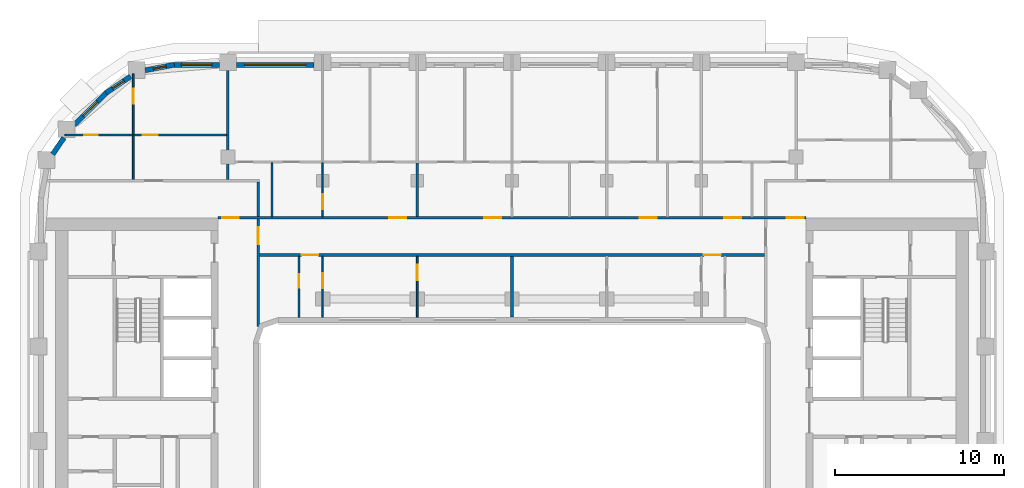
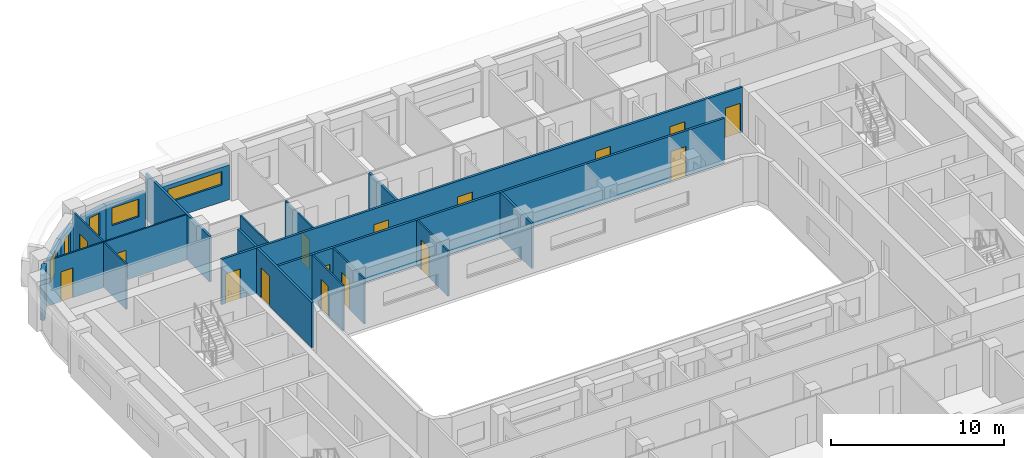
# One storey, part 7 of 22: 21 walls, 16 doors, 5 windows, 21 openings.
"""IFC4 building model written with IfcOpenShell, lengths in metres."""

from ifc_helpers import new_model, si_unit, direction, frame, frame_2d, origin, place, context, subcontext, project, spatial, rectangle, extrude, material, layer, layer_set, type_object, element, fill, save


model = new_model("IFC4")

# Units and contexts
model_context = context("Model", 3, precision=1e-05, world=origin(), true_north=direction((0.0, 1.0)))
body_context = subcontext(model_context, "Body", "Model", "MODEL_VIEW")
ifc_project = project(units=[si_unit("LENGTHUNIT", "METRE"), si_unit("AREAUNIT", "SQUARE_METRE"), si_unit("VOLUMEUNIT", "CUBIC_METRE"), si_unit("PLANEANGLEUNIT", "RADIAN"), si_unit("MASSUNIT", "GRAM", prefix="KILO")], contexts=[model_context])

# Site, building, storey
site_placement = place(None, origin())
site = spatial("IfcSite", under=ifc_project, at=site_placement, CompositionType="ELEMENT")
building_placement = place(site_placement, origin())
building = spatial("IfcBuilding", under=site, at=building_placement, Name="Kiln Ring Residences", CompositionType="ELEMENT")
storey_placement = place(building_placement, frame((0.0, 0.0, 167.60009765625)))
storey = spatial("IfcBuildingStorey", under=building, at=storey_placement, Name="L43", CompositionType="ELEMENT", Elevation=167.60009765625)

# Wall, opening, window
ifc_material_1 = material(Name="Brick masonry, dark clay brick", Category="masonry")
ifc_layer_1 = layer(ifc_material_1, 0.300048828125)
ifc_layer_set_1 = layer_set([ifc_layer_1], Name="EW-300 BRICK WALL")
wall_type_1 = type_object("IfcWallType", Name="EW-300 BRICK WALL", PredefinedType="SOLIDWALL", material=ifc_layer_set_1)
wall_1_placement = place(storey_placement, frame((-11.699951171875, 22.25, 0.0), z_axis=(0.0, 0.0, 1.0), x_axis=(-1.0, 0.0, 0.0)))
wall_1 = element("IfcWall", 1, at=wall_1_placement, inside=storey, type_object=wall_type_1, Name="Facade wall L43 34", PredefinedType="SOLIDWALL", context=body_context, shape_type="SweptSolid", body=[
    extrude(rectangle(XDim=4.60009765625, YDim=0.300048828125, at=frame_2d((2.300048828125, 0.0))), origin(), (0.0, 0.0, 1.0), 2.449951171875),
])
opening_1_placement = place(wall_1_placement, frame((0.5, 0.0, 1.199951171875)))
opening_1 = element("IfcOpeningElement", 2, at=opening_1_placement, cuts=wall_1, Name="Opening W4", PredefinedType="OPENING", context=body_context, shape_type="SweptSolid", body=[
    extrude(rectangle(XDim=3.60009765625, YDim=0.949951171875, at=frame_2d((1.800048828125, 0.47509765625))), frame((0.0, 0.159912109375, 0.0), z_axis=(0.0, -1.0, 0.0), x_axis=(1.0, 0.0, 0.0)), (0.0, 0.0, 1.0), 0.320068359375),
])
ifc_material_2 = material(Name="Aluminium frame with double glazing", Category="aluminium")
window_type_1 = type_object("IfcWindowType", Name="WINDOW 3600 x 950", PartitioningType="SINGLE_PANEL", PredefinedType="WINDOW", material=ifc_material_2)
window_1_placement = place(opening_1_placement, origin())
window_1 = element("IfcWindow", 3, at=window_1_placement, inside=storey, type_object=window_type_1, Name="Window L43 25", OverallHeight=0.949951171875, OverallWidth=3.60009765625, PartitioningType="SINGLE_PANEL", PredefinedType="WINDOW", context=body_context, shape_type="SweptSolid", body=[
    extrude(rectangle(XDim=3.60009765625, YDim=0.949951171875, at=frame_2d((1.800048828125, 0.47509765625))), frame((0.0, 0.030029296875, 0.0), z_axis=(0.0, -1.0, 0.0), x_axis=(1.0, 0.0, 0.0)), (0.0, 0.0, 1.0), 0.06005859375),
])
fill(opening_1, window_1)

wall_2_placement = place(storey_placement, frame((-17.300048828125, 22.25, 0.0), z_axis=(0.0, 0.0, 1.0), x_axis=(-1.0, 0.0, 0.0)))
wall_2 = element("IfcWall", 4, at=wall_2_placement, inside=storey, type_object=wall_type_1, Name="Facade wall L43 35", PredefinedType="SOLIDWALL", context=body_context, shape_type="SweptSolid", body=[
    extrude(rectangle(XDim=2.699951171875, YDim=0.300048828125, at=frame_2d((1.35009765625, 0.0))), origin(), (0.0, 0.0, 1.0), 2.449951171875),
])
opening_2_placement = place(wall_2_placement, frame((0.449951171875, 0.0, 0.89990234375)))
opening_2 = element("IfcOpeningElement", 5, at=opening_2_placement, cuts=wall_2, Name="Opening W2", PredefinedType="OPENING", context=body_context, shape_type="SweptSolid", body=[
    extrude(rectangle(XDim=1.800048828125, YDim=1.25, at=frame_2d((0.89990234375, 0.625))), frame((0.0, 0.159912109375, 0.0), z_axis=(0.0, -1.0, 0.0), x_axis=(1.0, 0.0, 0.0)), (0.0, 0.0, 1.0), 0.320068359375),
])
ifc_material_3 = material(Name="Aluminium frame with double glazing", Category="aluminium")
window_type_2 = type_object("IfcWindowType", Name="WINDOW 1800 x 1250", PartitioningType="SINGLE_PANEL", PredefinedType="WINDOW", material=ifc_material_3)
window_2_placement = place(opening_2_placement, origin())
window_2 = element("IfcWindow", 6, at=window_2_placement, inside=storey, type_object=window_type_2, Name="Window L43 26", OverallHeight=1.25, OverallWidth=1.800048828125, PartitioningType="SINGLE_PANEL", PredefinedType="WINDOW", context=body_context, shape_type="SweptSolid", body=[
    extrude(rectangle(XDim=1.800048828125, YDim=1.25, at=frame_2d((0.89990234375, 0.625))), frame((0.0, 0.030029296875, 0.0), z_axis=(0.0, -1.0, 0.0), x_axis=(1.0, 0.0, 0.0)), (0.0, 0.0, 1.0), 0.06005859375),
])
fill(opening_2, window_2)

wall_3_placement = place(storey_placement, frame((-19.971923828125, 22.252685546875, 0.0), z_axis=(0.0, 0.0, 1.0), x_axis=(-0.982284988433, -0.187393173565, 0.0)))
wall_3 = element("IfcWall", 7, at=wall_3_placement, inside=storey, type_object=wall_type_1, Name="Facade wall L43 36", PredefinedType="SOLIDWALL", context=body_context, shape_type="SweptSolid", body=[
    extrude(rectangle(XDim=1.756103515625, YDim=0.300048828125, at=frame_2d((0.8779296875, 0.0))), origin(), (0.0, 0.0, 1.0), 2.449951171875),
])
opening_3_placement = place(wall_3_placement, frame((0.47802734375, 0.0, 0.60009765625)))
opening_3 = element("IfcOpeningElement", 8, at=opening_3_placement, cuts=wall_3, Name="Opening W5", PredefinedType="OPENING", context=body_context, shape_type="SweptSolid", body=[
    extrude(rectangle(XDim=0.800048828125, YDim=1.550048828125, at=frame_2d((0.39990234375, 0.77490234375))), frame((0.0, 0.159912109375, 0.0), z_axis=(0.0, -1.0, 0.0), x_axis=(1.0, 0.0, 0.0)), (0.0, 0.0, 1.0), 0.320068359375),
])
ifc_material_4 = material(Name="Aluminium frame with double glazing", Category="aluminium")
window_type_3 = type_object("IfcWindowType", Name="WINDOW 800 x 1550", PartitioningType="SINGLE_PANEL", PredefinedType="WINDOW", material=ifc_material_4)
window_3_placement = place(opening_3_placement, origin())
window_3 = element("IfcWindow", 9, at=window_3_placement, inside=storey, type_object=window_type_3, Name="Window L43 27", OverallHeight=1.550048828125, OverallWidth=0.800048828125, PartitioningType="SINGLE_PANEL", PredefinedType="WINDOW", context=body_context, shape_type="SweptSolid", body=[
    extrude(rectangle(XDim=0.800048828125, YDim=1.550048828125, at=frame_2d((0.39990234375, 0.77490234375))), frame((0.0, 0.030029296875, 0.0), z_axis=(0.0, -1.0, 0.0), x_axis=(1.0, 0.0, 0.0)), (0.0, 0.0, 1.0), 0.06005859375),
])
fill(opening_3, window_3)

wall_4_placement = place(storey_placement, frame((-22.560302734375, 21.56591796875, 0.0), z_axis=(0.0, 0.0, 1.0), x_axis=(-0.82707645233, -0.562089443061, 0.0)))
wall_4 = element("IfcWall", 10, at=wall_4_placement, inside=storey, type_object=wall_type_1, Name="Facade wall L43 37", PredefinedType="SOLIDWALL", context=body_context, shape_type="SweptSolid", body=[
    extrude(rectangle(XDim=1.756103515625, YDim=0.300048828125, at=frame_2d((0.8779296875, 0.0))), origin(), (0.0, 0.0, 1.0), 2.449951171875),
])
opening_4_placement = place(wall_4_placement, frame((0.47802734375, 0.0, 0.60009765625)))
opening_4 = element("IfcOpeningElement", 11, at=opening_4_placement, cuts=wall_4, Name="Opening W5", PredefinedType="OPENING", context=body_context, shape_type="SweptSolid", body=[
    extrude(rectangle(XDim=0.800048828125, YDim=1.550048828125, at=frame_2d((0.39990234375, 0.77490234375))), frame((0.0, 0.159912109375, 0.0), z_axis=(0.0, -1.0, 0.0), x_axis=(1.0, 0.0, 0.0)), (0.0, 0.0, 1.0), 0.320068359375),
])
window_4_placement = place(opening_4_placement, origin())
window_4 = element("IfcWindow", 12, at=window_4_placement, inside=storey, type_object=window_type_3, Name="Window L43 28", OverallHeight=1.550048828125, OverallWidth=0.800048828125, PartitioningType="SINGLE_PANEL", PredefinedType="WINDOW", context=body_context, shape_type="SweptSolid", body=[
    extrude(rectangle(XDim=0.800048828125, YDim=1.550048828125, at=frame_2d((0.39990234375, 0.77490234375))), frame((0.0, 0.030029296875, 0.0), z_axis=(0.0, -1.0, 0.0), x_axis=(1.0, 0.0, 0.0)), (0.0, 0.0, 1.0), 0.06005859375),
])
fill(opening_4, window_4)

wall_5_placement = place(storey_placement, frame((-23.990966796875, 20.596923828125, 0.0), z_axis=(0.0, 0.0, 1.0), x_axis=(-0.707106781187, -0.707106781187, 0.0)))
wall_5 = element("IfcWall", 13, at=wall_5_placement, inside=storey, type_object=wall_type_1, Name="Facade wall L43 38", PredefinedType="SOLIDWALL", context=body_context, shape_type="SweptSolid", body=[
    extrude(rectangle(XDim=2.699951171875, YDim=0.300048828125, at=frame_2d((1.35009765625, 0.0))), origin(), (0.0, 0.0, 1.0), 2.449951171875),
])
opening_5_placement = place(wall_5_placement, frame((0.75, 0.0, 0.60009765625)))
opening_5 = element("IfcOpeningElement", 14, at=opening_5_placement, cuts=wall_5, Name="Opening W1", PredefinedType="OPENING", context=body_context, shape_type="SweptSolid", body=[
    extrude(rectangle(XDim=1.199951171875, YDim=1.550048828125, at=frame_2d((0.60009765625, 0.77490234375))), frame((0.0, 0.159912109375, 0.0), z_axis=(0.0, -1.0, 0.0), x_axis=(1.0, 0.0, 0.0)), (0.0, 0.0, 1.0), 0.320068359375),
])
ifc_material_5 = material(Name="Aluminium frame with double glazing", Category="aluminium")
window_type_4 = type_object("IfcWindowType", Name="WINDOW 1200 x 1550", PartitioningType="SINGLE_PANEL", PredefinedType="WINDOW", material=ifc_material_5)
window_5_placement = place(opening_5_placement, origin())
window_5 = element("IfcWindow", 15, at=window_5_placement, inside=storey, type_object=window_type_4, Name="Window L43 29", OverallHeight=1.550048828125, OverallWidth=1.199951171875, PartitioningType="SINGLE_PANEL", PredefinedType="WINDOW", context=body_context, shape_type="SweptSolid", body=[
    extrude(rectangle(XDim=1.199951171875, YDim=1.550048828125, at=frame_2d((0.60009765625, 0.77490234375))), frame((0.0, 0.030029296875, 0.0), z_axis=(0.0, -1.0, 0.0), x_axis=(1.0, 0.0, 0.0)), (0.0, 0.0, 1.0), 0.06005859375),
])
fill(opening_5, window_5)

# Wall
wall_6_placement = place(storey_placement, frame((-26.50439453125, 17.933837890625, 0.0), z_axis=(0.0, 0.0, 1.0), x_axis=(-0.562145470373, -0.827038372833, 0.0)))
element("IfcWall", 16, at=wall_6_placement, inside=storey, type_object=wall_type_1, Name="Facade wall L43 39", PredefinedType="SOLIDWALL", context=body_context, shape_type="SweptSolid", body=[
    extrude(rectangle(XDim=1.177001953125, YDim=0.300048828125, at=frame_2d((0.58837890625, 0.0))), origin(), (0.0, 0.0, 1.0), 3.199951171875),
])

# Wall, openings, doors
ifc_material_6 = material(Name="Gypsum board on steel studs", Category="steel")
ifc_layer_2 = layer(ifc_material_6, 0.10009765625)
ifc_layer_set_2 = layer_set([ifc_layer_2], Name="PARTITION-100")
wall_type_2 = type_object("IfcWallType", Name="PARTITION-100", PredefinedType="PARTITIONING", material=ifc_layer_set_2)
wall_7_placement = place(storey_placement, frame((-26.43994140625, 18.10009765625, 0.0), z_axis=(0.0, 0.0, 1.0), x_axis=(1.0, 0.0, 0.0)))
wall_7 = element("IfcWall", 17, at=wall_7_placement, inside=storey, type_object=wall_type_2, Name="Partition 013", PredefinedType="PARTITIONING", context=body_context, shape_type="SweptSolid", body=[
    extrude(rectangle(XDim=9.56494140625, YDim=0.10009765625, at=frame_2d((4.782470703125, 0.0))), origin(), (0.0, 0.0, 1.0), 3.199951171875),
])
opening_6_placement = place(wall_7_placement, frame((1.1259765625, 0.0, 0.0)))
opening_6 = element("IfcOpeningElement", 18, at=opening_6_placement, cuts=wall_7, Name="Opening L43-D041", PredefinedType="OPENING", context=body_context, shape_type="SweptSolid", body=[
    extrude(rectangle(XDim=0.800048828125, YDim=2.10009765625, at=frame_2d((0.39990234375, 1.050048828125))), frame((0.0, 0.06005859375, 0.0), z_axis=(0.0, -1.0, 0.0), x_axis=(1.0, 0.0, 0.0)), (0.0, 0.0, 1.0), 0.1201171875),
])
opening_7_placement = place(wall_7_placement, frame((4.590087890625, 0.0, 0.0)))
opening_7 = element("IfcOpeningElement", 19, at=opening_7_placement, cuts=wall_7, Name="Opening L43-D042", PredefinedType="OPENING", context=body_context, shape_type="SweptSolid", body=[
    extrude(rectangle(XDim=0.89990234375, YDim=2.10009765625, at=frame_2d((0.449951171875, 1.050048828125))), frame((0.0, 0.06005859375, 0.0), z_axis=(0.0, -1.0, 0.0), x_axis=(1.0, 0.0, 0.0)), (0.0, 0.0, 1.0), 0.1201171875),
])
ifc_material_7 = material(Name="Timber door leaf", Category="wood")
door_type_1 = type_object("IfcDoorType", Name="FLAT-DOOR-800-PL", OperationType="SINGLE_SWING_LEFT", PredefinedType="DOOR", material=ifc_material_7)
door_1_placement = place(opening_6_placement, origin())
door_1 = element("IfcDoor", 20, at=door_1_placement, inside=storey, type_object=door_type_1, Name="Door L43-D041", OperationType="SINGLE_SWING_LEFT", OverallHeight=2.10009765625, OverallWidth=0.800048828125, PredefinedType="DOOR", context=body_context, shape_type="SweptSolid", body=[
    extrude(rectangle(XDim=0.800048828125, YDim=2.10009765625, at=frame_2d((0.39990234375, 1.050048828125))), frame((0.0, 0.02490234375, 0.0), z_axis=(0.0, -1.0, 0.0), x_axis=(1.0, 0.0, 0.0)), (0.0, 0.0, 1.0), 0.050048828125),
])
fill(opening_6, door_1)
ifc_material_8 = material(Name="Timber door leaf", Category="wood")
door_type_2 = type_object("IfcDoorType", Name="FLAT-DOOR-900-PL", OperationType="SINGLE_SWING_LEFT", PredefinedType="DOOR", material=ifc_material_8)
door_2_placement = place(opening_7_placement, origin())
door_2 = element("IfcDoor", 21, at=door_2_placement, inside=storey, type_object=door_type_2, Name="Door L43-D042", OperationType="SINGLE_SWING_RIGHT", OverallHeight=2.10009765625, OverallWidth=0.89990234375, PredefinedType="DOOR", context=body_context, shape_type="SweptSolid", body=[
    extrude(rectangle(XDim=0.89990234375, YDim=2.10009765625, at=frame_2d((0.449951171875, 1.050048828125))), frame((0.0, 0.02490234375, 0.0), z_axis=(0.0, -1.0, 0.0), x_axis=(1.0, 0.0, 0.0)), (0.0, 0.0, 1.0), 0.050048828125),
])
fill(opening_7, door_2)

# Wall
wall_8_placement = place(storey_placement, frame((-22.39990234375, 15.47509765625, 0.0), z_axis=(0.0, 0.0, 1.0), x_axis=(0.0, 1.0, 0.0)))
element("IfcWall", 22, at=wall_8_placement, inside=storey, type_object=wall_type_2, Name="Partition 016", PredefinedType="PARTITIONING", context=body_context, shape_type="SweptSolid", body=[
    extrude(rectangle(XDim=2.574951171875, YDim=0.10009765625, at=frame_2d((1.28759765625, 0.0))), origin(), (0.0, 0.0, 1.0), 3.199951171875),
])

# Wall, opening, door
wall_9_placement = place(storey_placement, frame((-22.39990234375, 18.14990234375, 0.0), z_axis=(0.0, 0.0, 1.0), x_axis=(0.0, 1.0, 0.0)))
wall_9 = element("IfcWall", 23, at=wall_9_placement, inside=storey, type_object=wall_type_2, Name="Partition 017", PredefinedType="PARTITIONING", context=body_context, shape_type="SweptSolid", body=[
    extrude(rectangle(XDim=3.570068359375, YDim=0.10009765625, at=frame_2d((1.78515625, 0.0))), origin(), (0.0, 0.0, 1.0), 3.199951171875),
])
opening_8_placement = place(wall_9_placement, frame((1.798095703125, 0.0, 0.0)))
opening_8 = element("IfcOpeningElement", 24, at=opening_8_placement, cuts=wall_9, Name="Opening L43-D043", PredefinedType="OPENING", context=body_context, shape_type="SweptSolid", body=[
    extrude(rectangle(XDim=0.89990234375, YDim=2.10009765625, at=frame_2d((0.449951171875, 1.050048828125))), frame((0.0, 0.06005859375, 0.0), z_axis=(0.0, -1.0, 0.0), x_axis=(1.0, 0.0, 0.0)), (0.0, 0.0, 1.0), 0.1201171875),
])
door_3_placement = place(opening_8_placement, origin())
door_3 = element("IfcDoor", 25, at=door_3_placement, inside=storey, type_object=door_type_2, Name="Door L43-D043", OperationType="SINGLE_SWING_LEFT", OverallHeight=2.10009765625, OverallWidth=0.89990234375, PredefinedType="DOOR", context=body_context, shape_type="SweptSolid", body=[
    extrude(rectangle(XDim=0.89990234375, YDim=2.10009765625, at=frame_2d((0.449951171875, 1.050048828125))), frame((0.0, 0.02490234375, 0.0), z_axis=(0.0, -1.0, 0.0), x_axis=(1.0, 0.0, 0.0)), (0.0, 0.0, 1.0), 0.050048828125),
])
fill(opening_8, door_3)

# Wall
wall_10_placement = place(storey_placement, frame((-14.199951171875, 13.27490234375, 0.0), z_axis=(0.0, 0.0, 1.0), x_axis=(0.0, 1.0, 0.0)))
element("IfcWall", 26, at=wall_10_placement, inside=storey, type_object=wall_type_2, Name="Partition 024", PredefinedType="PARTITIONING", context=body_context, shape_type="SweptSolid", body=[
    extrude(rectangle(XDim=3.175048828125, YDim=0.10009765625, at=frame_2d((1.58740234375, 0.0))), origin(), (0.0, 0.0, 1.0), 3.199951171875),
])

# Wall, opening, door
wall_11_placement = place(storey_placement, frame((-12.60009765625, 7.320068359375, 0.0), z_axis=(0.0, 0.0, 1.0), x_axis=(0.0, 1.0, 0.0)))
wall_11 = element("IfcWall", 27, at=wall_11_placement, inside=storey, type_object=wall_type_2, Name="Partition 025", PredefinedType="PARTITIONING", context=body_context, shape_type="SweptSolid", body=[
    extrude(rectangle(XDim=3.60498046875, YDim=0.10009765625, at=frame_2d((1.802490234375, 0.0))), origin(), (0.0, 0.0, 1.0), 3.199951171875),
])
opening_9_placement = place(wall_11_placement, frame((1.72900390625, 0.0, 0.0)))
opening_9 = element("IfcOpeningElement", 28, at=opening_9_placement, cuts=wall_11, Name="Opening L43-D010", PredefinedType="OPENING", context=body_context, shape_type="SweptSolid", body=[
    extrude(rectangle(XDim=0.800048828125, YDim=2.10009765625, at=frame_2d((0.39990234375, 1.050048828125))), frame((0.0, 0.06005859375, 0.0), z_axis=(0.0, -1.0, 0.0), x_axis=(1.0, 0.0, 0.0)), (0.0, 0.0, 1.0), 0.1201171875),
])
door_4_placement = place(opening_9_placement, origin())
door_4 = element("IfcDoor", 29, at=door_4_placement, inside=storey, type_object=door_type_1, Name="Door L43-D010", OperationType="SINGLE_SWING_LEFT", OverallHeight=2.10009765625, OverallWidth=0.800048828125, PredefinedType="DOOR", context=body_context, shape_type="SweptSolid", body=[
    extrude(rectangle(XDim=0.800048828125, YDim=2.10009765625, at=frame_2d((0.39990234375, 1.050048828125))), frame((0.0, 0.02490234375, 0.0), z_axis=(0.0, -1.0, 0.0), x_axis=(1.0, 0.0, 0.0)), (0.0, 0.0, 1.0), 0.050048828125),
])
fill(opening_9, door_4)

wall_12_placement = place(storey_placement, frame((-11.199951171875, 7.320068359375, 0.0), z_axis=(0.0, 0.0, 1.0), x_axis=(0.0, 1.0, 0.0)))
wall_12 = element("IfcWall", 30, at=wall_12_placement, inside=storey, type_object=wall_type_2, Name="Partition 029", PredefinedType="PARTITIONING", context=body_context, shape_type="SweptSolid", body=[
    extrude(rectangle(XDim=3.60498046875, YDim=0.10009765625, at=frame_2d((1.802490234375, 0.0))), origin(), (0.0, 0.0, 1.0), 3.199951171875),
])
opening_10_placement = place(wall_12_placement, frame((1.699951171875, 0.0, 0.0)))
opening_10 = element("IfcOpeningElement", 31, at=opening_10_placement, cuts=wall_12, Name="Opening L43-D011", PredefinedType="OPENING", context=body_context, shape_type="SweptSolid", body=[
    extrude(rectangle(XDim=0.89990234375, YDim=2.10009765625, at=frame_2d((0.449951171875, 1.050048828125))), frame((0.0, 0.06005859375, 0.0), z_axis=(0.0, -1.0, 0.0), x_axis=(1.0, 0.0, 0.0)), (0.0, 0.0, 1.0), 0.1201171875),
])
door_5_placement = place(opening_10_placement, origin())
door_5 = element("IfcDoor", 32, at=door_5_placement, inside=storey, type_object=door_type_2, Name="Door L43-D011", OperationType="SINGLE_SWING_RIGHT", OverallHeight=2.10009765625, OverallWidth=0.89990234375, PredefinedType="DOOR", context=body_context, shape_type="SweptSolid", body=[
    extrude(rectangle(XDim=0.89990234375, YDim=2.10009765625, at=frame_2d((0.449951171875, 1.050048828125))), frame((0.0, 0.02490234375, 0.0), z_axis=(0.0, -1.0, 0.0), x_axis=(1.0, 0.0, 0.0)), (0.0, 0.0, 1.0), 0.050048828125),
])
fill(opening_10, door_5)

wall_13_placement = place(storey_placement, frame((-11.199951171875, 13.27490234375, 0.0), z_axis=(0.0, 0.0, 1.0), x_axis=(0.0, 1.0, 0.0)))
wall_13 = element("IfcWall", 33, at=wall_13_placement, inside=storey, type_object=wall_type_2, Name="Partition 030", PredefinedType="PARTITIONING", context=body_context, shape_type="SweptSolid", body=[
    extrude(rectangle(XDim=3.175048828125, YDim=0.10009765625, at=frame_2d((1.58740234375, 0.0))), origin(), (0.0, 0.0, 1.0), 3.199951171875),
])
opening_11_placement = place(wall_13_placement, frame((0.425048828125, 0.0, 0.0)))
opening_11 = element("IfcOpeningElement", 34, at=opening_11_placement, cuts=wall_13, Name="Opening L43-D018", PredefinedType="OPENING", context=body_context, shape_type="SweptSolid", body=[
    extrude(rectangle(XDim=0.89990234375, YDim=2.10009765625, at=frame_2d((0.449951171875, 1.050048828125))), frame((0.0, 0.06005859375, 0.0), z_axis=(0.0, -1.0, 0.0), x_axis=(1.0, 0.0, 0.0)), (0.0, 0.0, 1.0), 0.1201171875),
])
door_6_placement = place(opening_11_placement, origin())
door_6 = element("IfcDoor", 35, at=door_6_placement, inside=storey, type_object=door_type_2, Name="Door L43-D018", OperationType="SINGLE_SWING_RIGHT", OverallHeight=2.10009765625, OverallWidth=0.89990234375, PredefinedType="DOOR", context=body_context, shape_type="SweptSolid", body=[
    extrude(rectangle(XDim=0.89990234375, YDim=2.10009765625, at=frame_2d((0.449951171875, 1.050048828125))), frame((0.0, 0.02490234375, 0.0), z_axis=(0.0, -1.0, 0.0), x_axis=(1.0, 0.0, 0.0)), (0.0, 0.0, 1.0), 0.050048828125),
])
fill(opening_11, door_6)

wall_14_placement = place(storey_placement, frame((-5.60009765625, 7.320068359375, 0.0), z_axis=(0.0, 0.0, 1.0), x_axis=(0.0, 1.0, 0.0)))
wall_14 = element("IfcWall", 36, at=wall_14_placement, inside=storey, type_object=wall_type_2, Name="Partition 034", PredefinedType="PARTITIONING", context=body_context, shape_type="SweptSolid", body=[
    extrude(rectangle(XDim=3.60498046875, YDim=0.10009765625, at=frame_2d((1.802490234375, 0.0))), origin(), (0.0, 0.0, 1.0), 3.199951171875),
])
opening_12_placement = place(wall_14_placement, frame((2.199951171875, 0.0, 0.0)))
opening_12 = element("IfcOpeningElement", 37, at=opening_12_placement, cuts=wall_14, Name="Opening L43-D012", PredefinedType="OPENING", context=body_context, shape_type="SweptSolid", body=[
    extrude(rectangle(XDim=0.89990234375, YDim=2.10009765625, at=frame_2d((0.449951171875, 1.050048828125))), frame((0.0, 0.06005859375, 0.0), z_axis=(0.0, -1.0, 0.0), x_axis=(1.0, 0.0, 0.0)), (0.0, 0.0, 1.0), 0.1201171875),
])
door_7_placement = place(opening_12_placement, origin())
door_7 = element("IfcDoor", 38, at=door_7_placement, inside=storey, type_object=door_type_2, Name="Door L43-D012", OperationType="SINGLE_SWING_RIGHT", OverallHeight=2.10009765625, OverallWidth=0.89990234375, PredefinedType="DOOR", context=body_context, shape_type="SweptSolid", body=[
    extrude(rectangle(XDim=0.89990234375, YDim=2.10009765625, at=frame_2d((0.449951171875, 1.050048828125))), frame((0.0, 0.02490234375, 0.0), z_axis=(0.0, -1.0, 0.0), x_axis=(1.0, 0.0, 0.0)), (0.0, 0.0, 1.0), 0.050048828125),
])
fill(opening_12, door_7)

# Wall, openings, doors
ifc_material_9 = material(Name="Brick masonry partition", Category="masonry")
ifc_layer_3 = layer(ifc_material_9, 0.14990234375)
ifc_layer_set_3 = layer_set([ifc_layer_3], Name="PARTITION-150-ei60")
wall_type_3 = type_object("IfcWallType", Name="PARTITION-150-ei60", PredefinedType="PARTITIONING", material=ifc_layer_set_3)
wall_15_placement = place(storey_placement, frame((-14.925048828125, 11.0, 0.0), z_axis=(0.0, 0.0, 1.0), x_axis=(1.0, 0.0, 0.0)))
wall_15 = element("IfcWall", 39, at=wall_15_placement, inside=storey, type_object=wall_type_3, Name="Partition 007", PredefinedType="PARTITIONING", context=body_context, shape_type="SweptSolid", body=[
    extrude(rectangle(XDim=29.85009765625, YDim=0.14990234375, at=frame_2d((14.925048828125, 0.0))), origin(), (0.0, 0.0, 1.0), 3.199951171875),
])
opening_13_placement = place(wall_15_placement, frame((2.47509765625, 0.0, 0.0)))
opening_13 = element("IfcOpeningElement", 40, at=opening_13_placement, cuts=wall_15, Name="Opening L43-D009", PredefinedType="OPENING", context=body_context, shape_type="SweptSolid", body=[
    extrude(rectangle(XDim=1.0, YDim=2.10009765625, at=frame_2d((0.5, 1.050048828125))), frame((0.0, 0.0849609375, 0.0), z_axis=(0.0, -1.0, 0.0), x_axis=(1.0, 0.0, 0.0)), (0.0, 0.0, 1.0), 0.169921875),
])
opening_14_placement = place(wall_15_placement, frame((26.27490234375, 0.0, 0.0)))
opening_14 = element("IfcOpeningElement", 41, at=opening_14_placement, cuts=wall_15, Name="Opening L43-D013", PredefinedType="OPENING", context=body_context, shape_type="SweptSolid", body=[
    extrude(rectangle(XDim=1.0, YDim=2.10009765625, at=frame_2d((0.5, 1.050048828125))), frame((0.0, 0.0849609375, 0.0), z_axis=(0.0, -1.0, 0.0), x_axis=(1.0, 0.0, 0.0)), (0.0, 0.0, 1.0), 0.169921875),
])
ifc_material_10 = material(Name="Steel faced fire door leaf", Category="steel")
door_type_3 = type_object("IfcDoorType", Name="FLAT-DOOR-1000-FR", OperationType="SINGLE_SWING_LEFT", PredefinedType="DOOR", material=ifc_material_10)
door_8_placement = place(opening_13_placement, origin())
door_8 = element("IfcDoor", 42, at=door_8_placement, inside=storey, type_object=door_type_3, Name="Door L43-D009", OperationType="SINGLE_SWING_LEFT", OverallHeight=2.10009765625, OverallWidth=1.0, PredefinedType="DOOR", context=body_context, shape_type="SweptSolid", body=[
    extrude(rectangle(XDim=1.0, YDim=2.10009765625, at=frame_2d((0.5, 1.050048828125))), frame((0.0, 0.02490234375, 0.0), z_axis=(0.0, -1.0, 0.0), x_axis=(1.0, 0.0, 0.0)), (0.0, 0.0, 1.0), 0.050048828125),
])
fill(opening_13, door_8)
door_9_placement = place(opening_14_placement, origin())
door_9 = element("IfcDoor", 43, at=door_9_placement, inside=storey, type_object=door_type_3, Name="Door L43-D013", OperationType="SINGLE_SWING_LEFT", OverallHeight=2.10009765625, OverallWidth=1.0, PredefinedType="DOOR", context=body_context, shape_type="SweptSolid", body=[
    extrude(rectangle(XDim=1.0, YDim=2.10009765625, at=frame_2d((0.5, 1.050048828125))), frame((0.0, 0.02490234375, 0.0), z_axis=(0.0, -1.0, 0.0), x_axis=(1.0, 0.0, 0.0)), (0.0, 0.0, 1.0), 0.050048828125),
])
fill(opening_14, door_9)

wall_16_placement = place(storey_placement, frame((-17.39990234375, 13.199951171875, 0.0), z_axis=(0.0, 0.0, 1.0), x_axis=(1.0, 0.0, 0.0)))
wall_16 = element("IfcWall", 44, at=wall_16_placement, inside=storey, type_object=wall_type_3, Name="Partition 008", PredefinedType="PARTITIONING", context=body_context, shape_type="SweptSolid", body=[
    extrude(rectangle(XDim=34.7998046875, YDim=0.14990234375, at=frame_2d((17.39990234375, 0.0))), origin(), (0.0, 0.0, 1.0), 3.199951171875),
])
opening_15_placement = place(wall_16_placement, frame((0.25, 0.0, 0.0)))
opening_15 = element("IfcOpeningElement", 45, at=opening_15_placement, cuts=wall_16, Name="Opening L43-D003", PredefinedType="OPENING", context=body_context, shape_type="SweptSolid", body=[
    extrude(rectangle(XDim=1.0, YDim=2.10009765625, at=frame_2d((0.5, 1.050048828125))), frame((0.0, 0.0849609375, 0.0), z_axis=(0.0, -1.0, 0.0), x_axis=(1.0, 0.0, 0.0)), (0.0, 0.0, 1.0), 0.169921875),
])
opening_16_placement = place(wall_16_placement, frame((33.64990234375, 0.0, 0.0)))
opening_16 = element("IfcOpeningElement", 46, at=opening_16_placement, cuts=wall_16, Name="Opening L43-D004", PredefinedType="OPENING", context=body_context, shape_type="SweptSolid", body=[
    extrude(rectangle(XDim=1.0, YDim=2.10009765625, at=frame_2d((0.5, 1.050048828125))), frame((0.0, 0.0849609375, 0.0), z_axis=(0.0, -1.0, 0.0), x_axis=(1.0, 0.0, 0.0)), (0.0, 0.0, 1.0), 0.169921875),
])
opening_17_placement = place(wall_16_placement, frame((10.14990234375, 0.0, 0.0)))
opening_17 = element("IfcOpeningElement", 47, at=opening_17_placement, cuts=wall_16, Name="Opening L43-D017", PredefinedType="OPENING", context=body_context, shape_type="SweptSolid", body=[
    extrude(rectangle(XDim=1.0, YDim=2.10009765625, at=frame_2d((0.5, 1.050048828125))), frame((0.0, 0.0849609375, 0.0), z_axis=(0.0, -1.0, 0.0), x_axis=(1.0, 0.0, 0.0)), (0.0, 0.0, 1.0), 0.169921875),
])
opening_18_placement = place(wall_16_placement, frame((15.75, 0.0, 0.0)))
opening_18 = element("IfcOpeningElement", 48, at=opening_18_placement, cuts=wall_16, Name="Opening L43-D023", PredefinedType="OPENING", context=body_context, shape_type="SweptSolid", body=[
    extrude(rectangle(XDim=1.0, YDim=2.10009765625, at=frame_2d((0.5, 1.050048828125))), frame((0.0, 0.0849609375, 0.0), z_axis=(0.0, -1.0, 0.0), x_axis=(1.0, 0.0, 0.0)), (0.0, 0.0, 1.0), 0.169921875),
])
opening_19_placement = place(wall_16_placement, frame((24.949951171875, 0.0, 0.0)))
opening_19 = element("IfcOpeningElement", 49, at=opening_19_placement, cuts=wall_16, Name="Opening L43-D029", PredefinedType="OPENING", context=body_context, shape_type="SweptSolid", body=[
    extrude(rectangle(XDim=1.0, YDim=2.10009765625, at=frame_2d((0.5, 1.050048828125))), frame((0.0, 0.0849609375, 0.0), z_axis=(0.0, -1.0, 0.0), x_axis=(1.0, 0.0, 0.0)), (0.0, 0.0, 1.0), 0.169921875),
])
opening_20_placement = place(wall_16_placement, frame((29.949951171875, 0.0, 0.0)))
opening_20 = element("IfcOpeningElement", 50, at=opening_20_placement, cuts=wall_16, Name="Opening L43-D033", PredefinedType="OPENING", context=body_context, shape_type="SweptSolid", body=[
    extrude(rectangle(XDim=1.0, YDim=2.10009765625, at=frame_2d((0.5, 1.050048828125))), frame((0.0, 0.0849609375, 0.0), z_axis=(0.0, -1.0, 0.0), x_axis=(1.0, 0.0, 0.0)), (0.0, 0.0, 1.0), 0.169921875),
])
door_10_placement = place(opening_15_placement, origin())
door_10 = element("IfcDoor", 51, at=door_10_placement, inside=storey, type_object=door_type_3, Name="Door L43-D003", OperationType="SINGLE_SWING_LEFT", OverallHeight=2.10009765625, OverallWidth=1.0, PredefinedType="DOOR", context=body_context, shape_type="SweptSolid", body=[
    extrude(rectangle(XDim=1.0, YDim=2.10009765625, at=frame_2d((0.5, 1.050048828125))), frame((0.0, 0.02490234375, 0.0), z_axis=(0.0, -1.0, 0.0), x_axis=(1.0, 0.0, 0.0)), (0.0, 0.0, 1.0), 0.050048828125),
])
fill(opening_15, door_10)
door_11_placement = place(opening_16_placement, origin())
door_11 = element("IfcDoor", 52, at=door_11_placement, inside=storey, type_object=door_type_3, Name="Door L43-D004", OperationType="SINGLE_SWING_RIGHT", OverallHeight=2.10009765625, OverallWidth=1.0, PredefinedType="DOOR", context=body_context, shape_type="SweptSolid", body=[
    extrude(rectangle(XDim=1.0, YDim=2.10009765625, at=frame_2d((0.5, 1.050048828125))), frame((0.0, 0.02490234375, 0.0), z_axis=(0.0, -1.0, 0.0), x_axis=(1.0, 0.0, 0.0)), (0.0, 0.0, 1.0), 0.050048828125),
])
fill(opening_16, door_11)
door_12_placement = place(opening_17_placement, origin())
door_12 = element("IfcDoor", 53, at=door_12_placement, inside=storey, type_object=door_type_3, Name="Door L43-D017", OperationType="SINGLE_SWING_LEFT", OverallHeight=2.10009765625, OverallWidth=1.0, PredefinedType="DOOR", context=body_context, shape_type="SweptSolid", body=[
    extrude(rectangle(XDim=1.0, YDim=2.10009765625, at=frame_2d((0.5, 1.050048828125))), frame((0.0, 0.02490234375, 0.0), z_axis=(0.0, -1.0, 0.0), x_axis=(1.0, 0.0, 0.0)), (0.0, 0.0, 1.0), 0.050048828125),
])
fill(opening_17, door_12)
door_13_placement = place(opening_18_placement, origin())
door_13 = element("IfcDoor", 54, at=door_13_placement, inside=storey, type_object=door_type_3, Name="Door L43-D023", OperationType="SINGLE_SWING_LEFT", OverallHeight=2.10009765625, OverallWidth=1.0, PredefinedType="DOOR", context=body_context, shape_type="SweptSolid", body=[
    extrude(rectangle(XDim=1.0, YDim=2.10009765625, at=frame_2d((0.5, 1.050048828125))), frame((0.0, 0.02490234375, 0.0), z_axis=(0.0, -1.0, 0.0), x_axis=(1.0, 0.0, 0.0)), (0.0, 0.0, 1.0), 0.050048828125),
])
fill(opening_18, door_13)
door_14_placement = place(opening_19_placement, origin())
door_14 = element("IfcDoor", 55, at=door_14_placement, inside=storey, type_object=door_type_3, Name="Door L43-D029", OperationType="SINGLE_SWING_LEFT", OverallHeight=2.10009765625, OverallWidth=1.0, PredefinedType="DOOR", context=body_context, shape_type="SweptSolid", body=[
    extrude(rectangle(XDim=1.0, YDim=2.10009765625, at=frame_2d((0.5, 1.050048828125))), frame((0.0, 0.02490234375, 0.0), z_axis=(0.0, -1.0, 0.0), x_axis=(1.0, 0.0, 0.0)), (0.0, 0.0, 1.0), 0.050048828125),
])
fill(opening_19, door_14)
door_15_placement = place(opening_20_placement, origin())
door_15 = element("IfcDoor", 56, at=door_15_placement, inside=storey, type_object=door_type_3, Name="Door L43-D033", OperationType="SINGLE_SWING_LEFT", OverallHeight=2.10009765625, OverallWidth=1.0, PredefinedType="DOOR", context=body_context, shape_type="SweptSolid", body=[
    extrude(rectangle(XDim=1.0, YDim=2.10009765625, at=frame_2d((0.5, 1.050048828125))), frame((0.0, 0.02490234375, 0.0), z_axis=(0.0, -1.0, 0.0), x_axis=(1.0, 0.0, 0.0)), (0.0, 0.0, 1.0), 0.050048828125),
])
fill(opening_20, door_15)

# Wall
wall_17_placement = place(storey_placement, frame((-16.800048828125, 15.47509765625, 0.0), z_axis=(0.0, 0.0, 1.0), x_axis=(0.0, 1.0, 0.0)))
element("IfcWall", 57, at=wall_17_placement, inside=storey, type_object=wall_type_3, Name="Partition 019", PredefinedType="PARTITIONING", context=body_context, shape_type="SweptSolid", body=[
    extrude(rectangle(XDim=7.40478515625, YDim=0.14990234375, at=frame_2d((3.702392578125, 0.0))), origin(), (0.0, 0.0, 1.0), 3.199951171875),
])

# Wall, opening, door
wall_18_placement = place(storey_placement, frame((-15.0, 6.768798828125, 0.0), z_axis=(0.0, 0.0, 1.0), x_axis=(0.0, 1.0, 0.0)))
wall_18 = element("IfcWall", 58, at=wall_18_placement, inside=storey, type_object=wall_type_3, Name="Partition 022", PredefinedType="PARTITIONING", context=body_context, shape_type="SweptSolid", body=[
    extrude(rectangle(XDim=6.356201171875, YDim=0.14990234375, at=frame_2d((3.17822265625, 0.0))), origin(), (0.0, 0.0, 1.0), 3.199951171875),
])
opening_21_placement = place(wall_18_placement, frame((4.860107421875, 0.0, 0.0)))
opening_21 = element("IfcOpeningElement", 59, at=opening_21_placement, cuts=wall_18, Name="Opening L43-D001", PredefinedType="OPENING", context=body_context, shape_type="SweptSolid", body=[
    extrude(rectangle(XDim=1.0, YDim=2.10009765625, at=frame_2d((0.5, 1.050048828125))), frame((0.0, 0.0849609375, 0.0), z_axis=(0.0, -1.0, 0.0), x_axis=(1.0, 0.0, 0.0)), (0.0, 0.0, 1.0), 0.169921875),
])
door_16_placement = place(opening_21_placement, origin())
door_16 = element("IfcDoor", 60, at=door_16_placement, inside=storey, type_object=door_type_3, Name="Door L43-D001", OperationType="SINGLE_SWING_RIGHT", OverallHeight=2.10009765625, OverallWidth=1.0, PredefinedType="DOOR", context=body_context, shape_type="SweptSolid", body=[
    extrude(rectangle(XDim=1.0, YDim=2.10009765625, at=frame_2d((0.5, 1.050048828125))), frame((0.0, 0.02490234375, 0.0), z_axis=(0.0, -1.0, 0.0), x_axis=(1.0, 0.0, 0.0)), (0.0, 0.0, 1.0), 0.050048828125),
])
fill(opening_21, door_16)

# Walls
wall_19_placement = place(storey_placement, frame((-15.0, 13.27490234375, 0.0), z_axis=(0.0, 0.0, 1.0), x_axis=(0.0, 1.0, 0.0)))
element("IfcWall", 61, at=wall_19_placement, inside=storey, type_object=wall_type_3, Name="Partition 023", PredefinedType="PARTITIONING", context=body_context, shape_type="SweptSolid", body=[
    extrude(rectangle(XDim=2.050048828125, YDim=0.14990234375, at=frame_2d((1.02490234375, 0.0))), origin(), (0.0, 0.0, 1.0), 3.199951171875),
])
wall_20_placement = place(storey_placement, frame((-5.60009765625, 13.27490234375, 0.0), z_axis=(0.0, 0.0, 1.0), x_axis=(0.0, 1.0, 0.0)))
element("IfcWall", 62, at=wall_20_placement, inside=storey, type_object=wall_type_3, Name="Partition 037", PredefinedType="PARTITIONING", context=body_context, shape_type="SweptSolid", body=[
    extrude(rectangle(XDim=3.175048828125, YDim=0.14990234375, at=frame_2d((1.58740234375, 0.0))), origin(), (0.0, 0.0, 1.0), 3.199951171875),
])
wall_21_placement = place(storey_placement, frame((0.0, 7.320068359375, 0.0), z_axis=(0.0, 0.0, 1.0), x_axis=(0.0, 1.0, 0.0)))
element("IfcWall", 63, at=wall_21_placement, inside=storey, type_object=wall_type_3, Name="Partition 046", PredefinedType="PARTITIONING", context=body_context, shape_type="SweptSolid", body=[
    extrude(rectangle(XDim=3.60498046875, YDim=0.14990234375, at=frame_2d((1.802490234375, 0.0))), origin(), (0.0, 0.0, 1.0), 3.199951171875),
])

save(model, "model.ifc")
